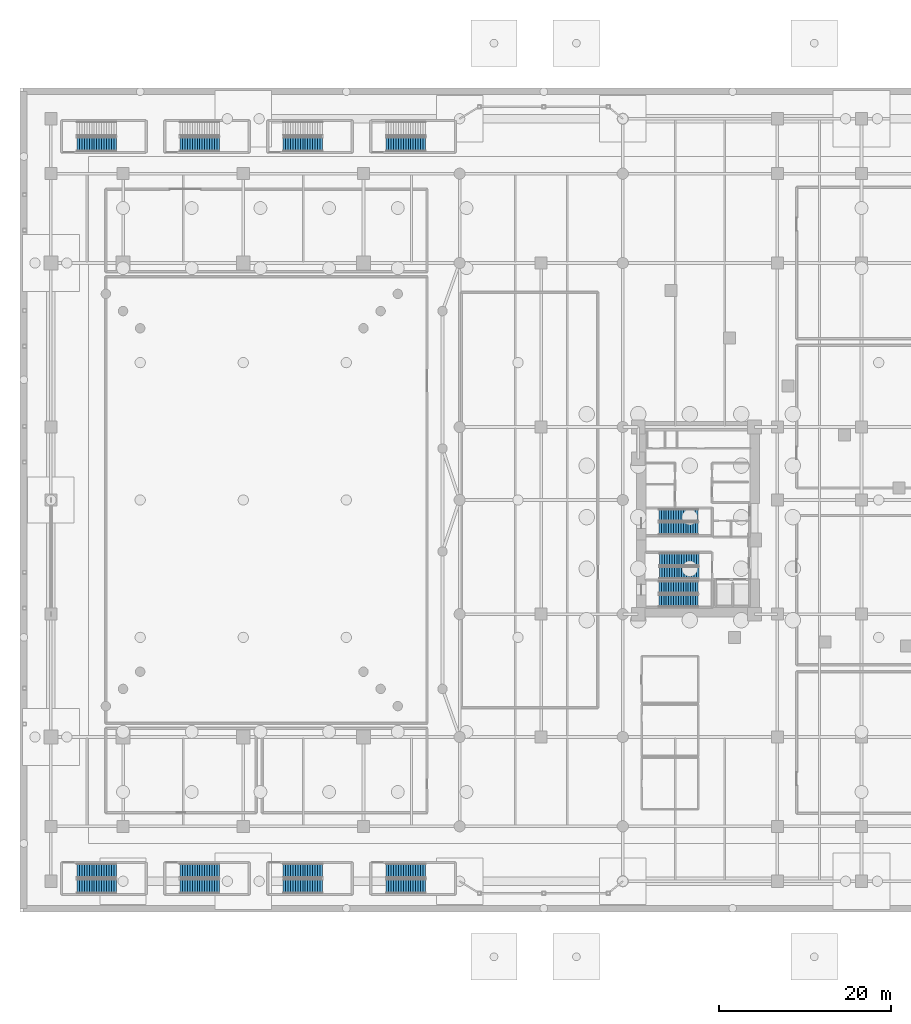
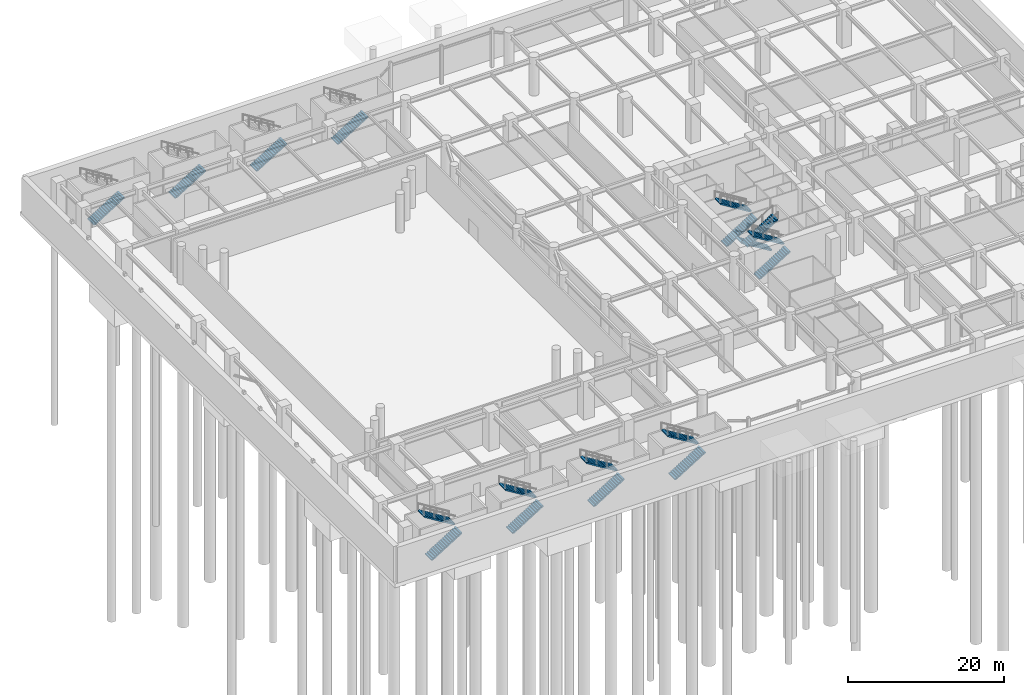
# One storey, part 25 of 37: 18 stair flights, 11 elements without a shape of their own.
"""IFC4 building model written with IfcOpenShell, lengths in metres."""

from ifc_helpers import new_model, si_unit, direction, frame, origin, place, context, subcontext, project, spatial, polyline, outline, extrude, material, type_object, element, aggregate, save


model = new_model("IFC4")

# Units and contexts
model_context = context("Model", 3, precision=1e-05, world=origin(), true_north=direction((0.0, 1.0)))
body_context = subcontext(model_context, "Body", "Model", "MODEL_VIEW")
ifc_project = project(units=[si_unit("LENGTHUNIT", "METRE"), si_unit("AREAUNIT", "SQUARE_METRE"), si_unit("VOLUMEUNIT", "CUBIC_METRE"), si_unit("PLANEANGLEUNIT", "RADIAN"), si_unit("MASSUNIT", "GRAM", prefix="KILO")], contexts=[model_context])

# Site, building, storey
site_placement = place(None, origin())
site = spatial("IfcSite", under=ifc_project, at=site_placement, CompositionType="ELEMENT")
building_placement = place(site_placement, origin())
building = spatial("IfcBuilding", under=site, at=building_placement, Name="Narakoshi Arena Tower", CompositionType="ELEMENT")
storey_placement = place(building_placement, frame((0.0, 0.0, -6.0)))
storey = spatial("IfcBuildingStorey", under=building, at=storey_placement, Name="B01", CompositionType="ELEMENT", Elevation=-6.0)

# Stair, stair flights
ifc_material_1 = material(Name="Concrete C45/55", Category="concrete")
stair_type_1 = type_object("IfcStairType", Name="STR-B01-600", PredefinedType="TWO_STRAIGHT_RUN_STAIR", material=ifc_material_1)
stair_1_placement = place(storey_placement, origin())
stair_1 = element("IfcStair", 1, at=stair_1_placement, inside=storey, type_object=stair_type_1, Name="B01 Core Escape Stair ST1", PredefinedType="TWO_STRAIGHT_RUN_STAIR")
ifc_material_2 = material(Name="Precast concrete C45/55", Category="concrete")
stair_flight_type_1 = type_object("IfcStairFlightType", Name="FLT-160-150", PredefinedType="STRAIGHT", material=ifc_material_2)
stair_flight_1_placement = place(storey_placement, frame((74.39990234375, 36.27490234375, 0.0), z_axis=(0.0, 0.0, 1.0), x_axis=(1.0, 0.0, 0.0)))
stair_flight_1 = element("IfcStairFlight", 2, at=stair_flight_1_placement, type_object=stair_flight_type_1, Name="ST1 flight 1", NumberOfRisers=17, NumberOfTreads=16, PredefinedType="STRAIGHT", RiserHeight=0.176470588, TreadLength=0.285, context=body_context, shape_type="SweptSolid", body=[
    extrude(outline(polyline([(0.0, 0.0), (0.0, 0.176513671875), (0.284912109375, 0.176513671875), (0.284912109375, 0.35302734375), (0.570068359375, 0.35302734375), (0.570068359375, 0.529296875), (0.85498046875, 0.529296875), (0.85498046875, 0.705810546875), (1.139892578125, 0.705810546875), (1.139892578125, 0.88232421875), (1.425048828125, 0.88232421875), (1.425048828125, 1.058837890625), (1.7099609375, 1.058837890625), (1.7099609375, 1.2353515625), (1.9951171875, 1.2353515625), (1.9951171875, 1.411865234375), (2.280029296875, 1.411865234375), (2.280029296875, 1.588134765625), (2.56494140625, 1.588134765625), (2.56494140625, 1.7646484375), (2.85009765625, 1.7646484375), (2.85009765625, 1.941162109375), (3.135009765625, 1.941162109375), (3.135009765625, 2.11767578125), (3.419921875, 2.11767578125), (3.419921875, 2.294189453125), (3.705078125, 2.294189453125), (3.705078125, 2.470703125), (3.989990234375, 2.470703125), (3.989990234375, 2.64697265625), (4.27490234375, 2.64697265625), (4.27490234375, 2.823486328125), (4.56005859375, 2.823486328125), (4.56005859375, 3.0), (4.56005859375, 2.647216796875), (0.28466796875, 0.0), (0.0, 0.0)])), frame((0.0, 0.72509765625, 0.0), z_axis=(0.0, -1.0, 0.0), x_axis=(1.0, 0.0, 0.0)), (0.0, 0.0, 1.0), 1.449951171875),
])
stair_flight_2_placement = place(storey_placement, frame((78.9599609375, 37.824951171875, 3.0), z_axis=(0.0, 0.0, 1.0), x_axis=(-1.0, 0.0, 0.0)))
stair_flight_2 = element("IfcStairFlight", 3, at=stair_flight_2_placement, type_object=stair_flight_type_1, Name="ST1 flight 2", NumberOfRisers=17, NumberOfTreads=16, PredefinedType="STRAIGHT", RiserHeight=0.176470588, TreadLength=0.285, context=body_context, shape_type="SweptSolid", body=[
    extrude(outline(polyline([(0.0, 0.0), (0.0, 0.176513671875), (0.284912109375, 0.176513671875), (0.284912109375, 0.35302734375), (0.570068359375, 0.35302734375), (0.570068359375, 0.529296875), (0.85498046875, 0.529296875), (0.85498046875, 0.705810546875), (1.139892578125, 0.705810546875), (1.139892578125, 0.88232421875), (1.425048828125, 0.88232421875), (1.425048828125, 1.058837890625), (1.7099609375, 1.058837890625), (1.7099609375, 1.2353515625), (1.9951171875, 1.2353515625), (1.9951171875, 1.411865234375), (2.280029296875, 1.411865234375), (2.280029296875, 1.588134765625), (2.56494140625, 1.588134765625), (2.56494140625, 1.7646484375), (2.85009765625, 1.7646484375), (2.85009765625, 1.941162109375), (3.135009765625, 1.941162109375), (3.135009765625, 2.11767578125), (3.419921875, 2.11767578125), (3.419921875, 2.294189453125), (3.705078125, 2.294189453125), (3.705078125, 2.470703125), (3.989990234375, 2.470703125), (3.989990234375, 2.64697265625), (4.27490234375, 2.64697265625), (4.27490234375, 2.823486328125), (4.56005859375, 2.823486328125), (4.56005859375, 3.0), (4.56005859375, 2.647216796875), (0.28466796875, 0.0), (0.0, 0.0)])), frame((0.0, 0.72509765625, 0.0), z_axis=(0.0, -1.0, 0.0), x_axis=(1.0, 0.0, 0.0)), (0.0, 0.0, 1.0), 1.449951171875),
])
aggregate(stair_1, [stair_flight_1, stair_flight_2])

stair_2_placement = place(storey_placement, origin())
stair_2 = element("IfcStair", 4, at=stair_2_placement, inside=storey, type_object=stair_type_1, Name="B01 Core Escape Stair ST2", PredefinedType="TWO_STRAIGHT_RUN_STAIR")
stair_flight_3_placement = place(storey_placement, frame((79.050048828125, 41.074951171875, 0.0), z_axis=(0.0, 0.0, 1.0), x_axis=(-1.0, 0.0, 0.0)))
stair_flight_3 = element("IfcStairFlight", 5, at=stair_flight_3_placement, type_object=stair_flight_type_1, Name="ST2 flight 1", NumberOfRisers=17, NumberOfTreads=16, PredefinedType="STRAIGHT", RiserHeight=0.176470588, TreadLength=0.285, context=body_context, shape_type="SweptSolid", body=[
    extrude(outline(polyline([(0.0, 0.0), (0.0, 0.176513671875), (0.284912109375, 0.176513671875), (0.284912109375, 0.35302734375), (0.570068359375, 0.35302734375), (0.570068359375, 0.529296875), (0.85498046875, 0.529296875), (0.85498046875, 0.705810546875), (1.139892578125, 0.705810546875), (1.139892578125, 0.88232421875), (1.425048828125, 0.88232421875), (1.425048828125, 1.058837890625), (1.7099609375, 1.058837890625), (1.7099609375, 1.2353515625), (1.9951171875, 1.2353515625), (1.9951171875, 1.411865234375), (2.280029296875, 1.411865234375), (2.280029296875, 1.588134765625), (2.56494140625, 1.588134765625), (2.56494140625, 1.7646484375), (2.85009765625, 1.7646484375), (2.85009765625, 1.941162109375), (3.135009765625, 1.941162109375), (3.135009765625, 2.11767578125), (3.419921875, 2.11767578125), (3.419921875, 2.294189453125), (3.705078125, 2.294189453125), (3.705078125, 2.470703125), (3.989990234375, 2.470703125), (3.989990234375, 2.64697265625), (4.27490234375, 2.64697265625), (4.27490234375, 2.823486328125), (4.56005859375, 2.823486328125), (4.56005859375, 3.0), (4.56005859375, 2.647216796875), (0.28466796875, 0.0), (0.0, 0.0)])), frame((0.0, 0.72509765625, 0.0), z_axis=(0.0, -1.0, 0.0), x_axis=(1.0, 0.0, 0.0)), (0.0, 0.0, 1.0), 1.449951171875),
])
stair_flight_4_placement = place(storey_placement, frame((74.489990234375, 39.52490234375, 3.0), z_axis=(0.0, 0.0, 1.0), x_axis=(1.0, 0.0, 0.0)))
stair_flight_4 = element("IfcStairFlight", 6, at=stair_flight_4_placement, type_object=stair_flight_type_1, Name="ST2 flight 2", NumberOfRisers=17, NumberOfTreads=16, PredefinedType="STRAIGHT", RiserHeight=0.176470588, TreadLength=0.285, context=body_context, shape_type="SweptSolid", body=[
    extrude(outline(polyline([(0.0, 0.0), (0.0, 0.176513671875), (0.284912109375, 0.176513671875), (0.284912109375, 0.35302734375), (0.570068359375, 0.35302734375), (0.570068359375, 0.529296875), (0.85498046875, 0.529296875), (0.85498046875, 0.705810546875), (1.139892578125, 0.705810546875), (1.139892578125, 0.88232421875), (1.425048828125, 0.88232421875), (1.425048828125, 1.058837890625), (1.7099609375, 1.058837890625), (1.7099609375, 1.2353515625), (1.9951171875, 1.2353515625), (1.9951171875, 1.411865234375), (2.280029296875, 1.411865234375), (2.280029296875, 1.588134765625), (2.56494140625, 1.588134765625), (2.56494140625, 1.7646484375), (2.85009765625, 1.7646484375), (2.85009765625, 1.941162109375), (3.135009765625, 1.941162109375), (3.135009765625, 2.11767578125), (3.419921875, 2.11767578125), (3.419921875, 2.294189453125), (3.705078125, 2.294189453125), (3.705078125, 2.470703125), (3.989990234375, 2.470703125), (3.989990234375, 2.64697265625), (4.27490234375, 2.64697265625), (4.27490234375, 2.823486328125), (4.56005859375, 2.823486328125), (4.56005859375, 3.0), (4.56005859375, 2.647216796875), (0.28466796875, 0.0), (0.0, 0.0)])), frame((0.0, 0.72509765625, 0.0), z_axis=(0.0, -1.0, 0.0), x_axis=(1.0, 0.0, 0.0)), (0.0, 0.0, 1.0), 1.449951171875),
])
aggregate(stair_2, [stair_flight_3, stair_flight_4])

stair_3_placement = place(storey_placement, origin())
stair_3 = element("IfcStair", 7, at=stair_3_placement, inside=storey, type_object=stair_type_1, Name="B01 Core Escape Stair ST3", PredefinedType="TWO_STRAIGHT_RUN_STAIR")
stair_flight_5_placement = place(storey_placement, frame((74.39990234375, 44.675048828125, 0.0), z_axis=(0.0, 0.0, 1.0), x_axis=(1.0, 0.0, 0.0)))
stair_flight_5 = element("IfcStairFlight", 8, at=stair_flight_5_placement, type_object=stair_flight_type_1, Name="ST3 flight 1", NumberOfRisers=17, NumberOfTreads=16, PredefinedType="STRAIGHT", RiserHeight=0.176470588, TreadLength=0.285, context=body_context, shape_type="SweptSolid", body=[
    extrude(outline(polyline([(0.0, 0.0), (0.0, 0.176513671875), (0.284912109375, 0.176513671875), (0.284912109375, 0.35302734375), (0.570068359375, 0.35302734375), (0.570068359375, 0.529296875), (0.85498046875, 0.529296875), (0.85498046875, 0.705810546875), (1.139892578125, 0.705810546875), (1.139892578125, 0.88232421875), (1.425048828125, 0.88232421875), (1.425048828125, 1.058837890625), (1.7099609375, 1.058837890625), (1.7099609375, 1.2353515625), (1.9951171875, 1.2353515625), (1.9951171875, 1.411865234375), (2.280029296875, 1.411865234375), (2.280029296875, 1.588134765625), (2.56494140625, 1.588134765625), (2.56494140625, 1.7646484375), (2.85009765625, 1.7646484375), (2.85009765625, 1.941162109375), (3.135009765625, 1.941162109375), (3.135009765625, 2.11767578125), (3.419921875, 2.11767578125), (3.419921875, 2.294189453125), (3.705078125, 2.294189453125), (3.705078125, 2.470703125), (3.989990234375, 2.470703125), (3.989990234375, 2.64697265625), (4.27490234375, 2.64697265625), (4.27490234375, 2.823486328125), (4.56005859375, 2.823486328125), (4.56005859375, 3.0), (4.56005859375, 2.647216796875), (0.28466796875, 0.0), (0.0, 0.0)])), frame((0.0, 0.72509765625, 0.0), z_axis=(0.0, -1.0, 0.0), x_axis=(1.0, 0.0, 0.0)), (0.0, 0.0, 1.0), 1.449951171875),
])
stair_flight_6_placement = place(storey_placement, frame((78.9599609375, 46.22509765625, 3.0), z_axis=(0.0, 0.0, 1.0), x_axis=(-1.0, 0.0, 0.0)))
stair_flight_6 = element("IfcStairFlight", 9, at=stair_flight_6_placement, type_object=stair_flight_type_1, Name="ST3 flight 2", NumberOfRisers=17, NumberOfTreads=16, PredefinedType="STRAIGHT", RiserHeight=0.176470588, TreadLength=0.285, context=body_context, shape_type="SweptSolid", body=[
    extrude(outline(polyline([(0.0, 0.0), (0.0, 0.176513671875), (0.284912109375, 0.176513671875), (0.284912109375, 0.35302734375), (0.570068359375, 0.35302734375), (0.570068359375, 0.529296875), (0.85498046875, 0.529296875), (0.85498046875, 0.705810546875), (1.139892578125, 0.705810546875), (1.139892578125, 0.88232421875), (1.425048828125, 0.88232421875), (1.425048828125, 1.058837890625), (1.7099609375, 1.058837890625), (1.7099609375, 1.2353515625), (1.9951171875, 1.2353515625), (1.9951171875, 1.411865234375), (2.280029296875, 1.411865234375), (2.280029296875, 1.588134765625), (2.56494140625, 1.588134765625), (2.56494140625, 1.7646484375), (2.85009765625, 1.7646484375), (2.85009765625, 1.941162109375), (3.135009765625, 1.941162109375), (3.135009765625, 2.11767578125), (3.419921875, 2.11767578125), (3.419921875, 2.294189453125), (3.705078125, 2.294189453125), (3.705078125, 2.470703125), (3.989990234375, 2.470703125), (3.989990234375, 2.64697265625), (4.27490234375, 2.64697265625), (4.27490234375, 2.823486328125), (4.56005859375, 2.823486328125), (4.56005859375, 3.0), (4.56005859375, 2.647216796875), (0.28466796875, 0.0), (0.0, 0.0)])), frame((0.0, 0.72509765625, 0.0), z_axis=(0.0, -1.0, 0.0), x_axis=(1.0, 0.0, 0.0)), (0.0, 0.0, 1.0), 1.449951171875),
])
aggregate(stair_3, [stair_flight_5, stair_flight_6])

stair_type_2 = type_object("IfcStairType", Name="STR-ARN-2400", PredefinedType="TWO_STRAIGHT_RUN_STAIR", material=ifc_material_1)
stair_4_placement = place(storey_placement, origin())
stair_4 = element("IfcStair", 10, at=stair_4_placement, inside=storey, type_object=stair_type_2, Name="B01 Arena Crowd Escape Stair AST1", PredefinedType="TWO_STRAIGHT_RUN_STAIR")
stair_flight_type_2 = type_object("IfcStairFlightType", Name="FLT-240-150", PredefinedType="STRAIGHT", material=ifc_material_2)
stair_flight_7_placement = place(storey_placement, frame((6.64990234375, 3.02490234375, 0.0), z_axis=(0.0, 0.0, 1.0), x_axis=(1.0, 0.0, 0.0)))
stair_flight_7 = element("IfcStairFlight", 11, at=stair_flight_7_placement, type_object=stair_flight_type_2, Name="AST1 flight 1", NumberOfRisers=17, NumberOfTreads=16, PredefinedType="STRAIGHT", RiserHeight=0.176470588, TreadLength=0.285, context=body_context, shape_type="SweptSolid", body=[
    extrude(outline(polyline([(0.0, 0.0), (0.0, 0.176513671875), (0.284912109375, 0.176513671875), (0.284912109375, 0.35302734375), (0.570068359375, 0.35302734375), (0.570068359375, 0.529296875), (0.85498046875, 0.529296875), (0.85498046875, 0.705810546875), (1.139892578125, 0.705810546875), (1.139892578125, 0.88232421875), (1.425048828125, 0.88232421875), (1.425048828125, 1.058837890625), (1.7099609375, 1.058837890625), (1.7099609375, 1.2353515625), (1.9951171875, 1.2353515625), (1.9951171875, 1.411865234375), (2.280029296875, 1.411865234375), (2.280029296875, 1.588134765625), (2.56494140625, 1.588134765625), (2.56494140625, 1.7646484375), (2.85009765625, 1.7646484375), (2.85009765625, 1.941162109375), (3.135009765625, 1.941162109375), (3.135009765625, 2.11767578125), (3.419921875, 2.11767578125), (3.419921875, 2.294189453125), (3.705078125, 2.294189453125), (3.705078125, 2.470703125), (3.989990234375, 2.470703125), (3.989990234375, 2.64697265625), (4.27490234375, 2.64697265625), (4.27490234375, 2.823486328125), (4.56005859375, 2.823486328125), (4.56005859375, 3.0), (4.56005859375, 2.647216796875), (0.28466796875, 0.0), (0.0, 0.0)])), frame((0.0, 0.824951171875, 0.0), z_axis=(0.0, -1.0, 0.0), x_axis=(1.0, 0.0, 0.0)), (0.0, 0.0, 1.0), 1.64990234375),
])
stair_flight_8_placement = place(storey_placement, frame((11.2099609375, 4.824951171875, 3.0), z_axis=(0.0, 0.0, 1.0), x_axis=(-1.0, 0.0, 0.0)))
stair_flight_8 = element("IfcStairFlight", 12, at=stair_flight_8_placement, type_object=stair_flight_type_2, Name="AST1 flight 2", NumberOfRisers=17, NumberOfTreads=16, PredefinedType="STRAIGHT", RiserHeight=0.176470588, TreadLength=0.285, context=body_context, shape_type="SweptSolid", body=[
    extrude(outline(polyline([(0.0, 0.0), (0.0, 0.176513671875), (0.284912109375, 0.176513671875), (0.284912109375, 0.35302734375), (0.570068359375, 0.35302734375), (0.570068359375, 0.529296875), (0.85498046875, 0.529296875), (0.85498046875, 0.705810546875), (1.139892578125, 0.705810546875), (1.139892578125, 0.88232421875), (1.425048828125, 0.88232421875), (1.425048828125, 1.058837890625), (1.7099609375, 1.058837890625), (1.7099609375, 1.2353515625), (1.9951171875, 1.2353515625), (1.9951171875, 1.411865234375), (2.280029296875, 1.411865234375), (2.280029296875, 1.588134765625), (2.56494140625, 1.588134765625), (2.56494140625, 1.7646484375), (2.85009765625, 1.7646484375), (2.85009765625, 1.941162109375), (3.135009765625, 1.941162109375), (3.135009765625, 2.11767578125), (3.419921875, 2.11767578125), (3.419921875, 2.294189453125), (3.705078125, 2.294189453125), (3.705078125, 2.470703125), (3.989990234375, 2.470703125), (3.989990234375, 2.64697265625), (4.27490234375, 2.64697265625), (4.27490234375, 2.823486328125), (4.56005859375, 2.823486328125), (4.56005859375, 3.0), (4.56005859375, 2.647216796875), (0.28466796875, 0.0), (0.0, 0.0)])), frame((0.0, 0.824951171875, 0.0), z_axis=(0.0, -1.0, 0.0), x_axis=(1.0, 0.0, 0.0)), (0.0, 0.0, 1.0), 1.64990234375),
])
aggregate(stair_4, [stair_flight_7, stair_flight_8])

stair_5_placement = place(storey_placement, origin())
stair_5 = element("IfcStair", 13, at=stair_5_placement, inside=storey, type_object=stair_type_2, Name="B01 Arena Crowd Escape Stair AST2", PredefinedType="TWO_STRAIGHT_RUN_STAIR")
stair_flight_9_placement = place(storey_placement, frame((18.64990234375, 3.02490234375, 0.0), z_axis=(0.0, 0.0, 1.0), x_axis=(1.0, 0.0, 0.0)))
stair_flight_9 = element("IfcStairFlight", 14, at=stair_flight_9_placement, type_object=stair_flight_type_2, Name="AST2 flight 1", NumberOfRisers=17, NumberOfTreads=16, PredefinedType="STRAIGHT", RiserHeight=0.176470588, TreadLength=0.285, context=body_context, shape_type="SweptSolid", body=[
    extrude(outline(polyline([(0.0, 0.0), (0.0, 0.176513671875), (0.284912109375, 0.176513671875), (0.284912109375, 0.35302734375), (0.570068359375, 0.35302734375), (0.570068359375, 0.529296875), (0.85498046875, 0.529296875), (0.85498046875, 0.705810546875), (1.139892578125, 0.705810546875), (1.139892578125, 0.88232421875), (1.425048828125, 0.88232421875), (1.425048828125, 1.058837890625), (1.7099609375, 1.058837890625), (1.7099609375, 1.2353515625), (1.9951171875, 1.2353515625), (1.9951171875, 1.411865234375), (2.280029296875, 1.411865234375), (2.280029296875, 1.588134765625), (2.56494140625, 1.588134765625), (2.56494140625, 1.7646484375), (2.85009765625, 1.7646484375), (2.85009765625, 1.941162109375), (3.135009765625, 1.941162109375), (3.135009765625, 2.11767578125), (3.419921875, 2.11767578125), (3.419921875, 2.294189453125), (3.705078125, 2.294189453125), (3.705078125, 2.470703125), (3.989990234375, 2.470703125), (3.989990234375, 2.64697265625), (4.27490234375, 2.64697265625), (4.27490234375, 2.823486328125), (4.56005859375, 2.823486328125), (4.56005859375, 3.0), (4.56005859375, 2.647216796875), (0.28466796875, 0.0), (0.0, 0.0)])), frame((0.0, 0.824951171875, 0.0), z_axis=(0.0, -1.0, 0.0), x_axis=(1.0, 0.0, 0.0)), (0.0, 0.0, 1.0), 1.64990234375),
])
stair_flight_10_placement = place(storey_placement, frame((23.2099609375, 4.824951171875, 3.0), z_axis=(0.0, 0.0, 1.0), x_axis=(-1.0, 0.0, 0.0)))
stair_flight_10 = element("IfcStairFlight", 15, at=stair_flight_10_placement, type_object=stair_flight_type_2, Name="AST2 flight 2", NumberOfRisers=17, NumberOfTreads=16, PredefinedType="STRAIGHT", RiserHeight=0.176470588, TreadLength=0.285, context=body_context, shape_type="SweptSolid", body=[
    extrude(outline(polyline([(0.0, 0.0), (0.0, 0.176513671875), (0.284912109375, 0.176513671875), (0.284912109375, 0.35302734375), (0.570068359375, 0.35302734375), (0.570068359375, 0.529296875), (0.85498046875, 0.529296875), (0.85498046875, 0.705810546875), (1.139892578125, 0.705810546875), (1.139892578125, 0.88232421875), (1.425048828125, 0.88232421875), (1.425048828125, 1.058837890625), (1.7099609375, 1.058837890625), (1.7099609375, 1.2353515625), (1.9951171875, 1.2353515625), (1.9951171875, 1.411865234375), (2.280029296875, 1.411865234375), (2.280029296875, 1.588134765625), (2.56494140625, 1.588134765625), (2.56494140625, 1.7646484375), (2.85009765625, 1.7646484375), (2.85009765625, 1.941162109375), (3.135009765625, 1.941162109375), (3.135009765625, 2.11767578125), (3.419921875, 2.11767578125), (3.419921875, 2.294189453125), (3.705078125, 2.294189453125), (3.705078125, 2.470703125), (3.989990234375, 2.470703125), (3.989990234375, 2.64697265625), (4.27490234375, 2.64697265625), (4.27490234375, 2.823486328125), (4.56005859375, 2.823486328125), (4.56005859375, 3.0), (4.56005859375, 2.647216796875), (0.28466796875, 0.0), (0.0, 0.0)])), frame((0.0, 0.824951171875, 0.0), z_axis=(0.0, -1.0, 0.0), x_axis=(1.0, 0.0, 0.0)), (0.0, 0.0, 1.0), 1.64990234375),
])
aggregate(stair_5, [stair_flight_9, stair_flight_10])

stair_6_placement = place(storey_placement, origin())
stair_6 = element("IfcStair", 16, at=stair_6_placement, inside=storey, type_object=stair_type_2, Name="B01 Arena Crowd Escape Stair AST3", PredefinedType="TWO_STRAIGHT_RUN_STAIR")
stair_flight_11_placement = place(storey_placement, frame((30.64990234375, 3.02490234375, 0.0), z_axis=(0.0, 0.0, 1.0), x_axis=(1.0, 0.0, 0.0)))
stair_flight_11 = element("IfcStairFlight", 17, at=stair_flight_11_placement, type_object=stair_flight_type_2, Name="AST3 flight 1", NumberOfRisers=17, NumberOfTreads=16, PredefinedType="STRAIGHT", RiserHeight=0.176470588, TreadLength=0.285, context=body_context, shape_type="SweptSolid", body=[
    extrude(outline(polyline([(0.0, 0.0), (0.0, 0.176513671875), (0.284912109375, 0.176513671875), (0.284912109375, 0.35302734375), (0.570068359375, 0.35302734375), (0.570068359375, 0.529296875), (0.85498046875, 0.529296875), (0.85498046875, 0.705810546875), (1.139892578125, 0.705810546875), (1.139892578125, 0.88232421875), (1.425048828125, 0.88232421875), (1.425048828125, 1.058837890625), (1.7099609375, 1.058837890625), (1.7099609375, 1.2353515625), (1.9951171875, 1.2353515625), (1.9951171875, 1.411865234375), (2.280029296875, 1.411865234375), (2.280029296875, 1.588134765625), (2.56494140625, 1.588134765625), (2.56494140625, 1.7646484375), (2.85009765625, 1.7646484375), (2.85009765625, 1.941162109375), (3.135009765625, 1.941162109375), (3.135009765625, 2.11767578125), (3.419921875, 2.11767578125), (3.419921875, 2.294189453125), (3.705078125, 2.294189453125), (3.705078125, 2.470703125), (3.989990234375, 2.470703125), (3.989990234375, 2.64697265625), (4.27490234375, 2.64697265625), (4.27490234375, 2.823486328125), (4.56005859375, 2.823486328125), (4.56005859375, 3.0), (4.56005859375, 2.647216796875), (0.28466796875, 0.0), (0.0, 0.0)])), frame((0.0, 0.824951171875, 0.0), z_axis=(0.0, -1.0, 0.0), x_axis=(1.0, 0.0, 0.0)), (0.0, 0.0, 1.0), 1.64990234375),
])
stair_flight_12_placement = place(storey_placement, frame((35.2099609375, 4.824951171875, 3.0), z_axis=(0.0, 0.0, 1.0), x_axis=(-1.0, 0.0, 0.0)))
stair_flight_12 = element("IfcStairFlight", 18, at=stair_flight_12_placement, type_object=stair_flight_type_2, Name="AST3 flight 2", NumberOfRisers=17, NumberOfTreads=16, PredefinedType="STRAIGHT", RiserHeight=0.176470588, TreadLength=0.285, context=body_context, shape_type="SweptSolid", body=[
    extrude(outline(polyline([(0.0, 0.0), (0.0, 0.176513671875), (0.284912109375, 0.176513671875), (0.284912109375, 0.35302734375), (0.570068359375, 0.35302734375), (0.570068359375, 0.529296875), (0.85498046875, 0.529296875), (0.85498046875, 0.705810546875), (1.139892578125, 0.705810546875), (1.139892578125, 0.88232421875), (1.425048828125, 0.88232421875), (1.425048828125, 1.058837890625), (1.7099609375, 1.058837890625), (1.7099609375, 1.2353515625), (1.9951171875, 1.2353515625), (1.9951171875, 1.411865234375), (2.280029296875, 1.411865234375), (2.280029296875, 1.588134765625), (2.56494140625, 1.588134765625), (2.56494140625, 1.7646484375), (2.85009765625, 1.7646484375), (2.85009765625, 1.941162109375), (3.135009765625, 1.941162109375), (3.135009765625, 2.11767578125), (3.419921875, 2.11767578125), (3.419921875, 2.294189453125), (3.705078125, 2.294189453125), (3.705078125, 2.470703125), (3.989990234375, 2.470703125), (3.989990234375, 2.64697265625), (4.27490234375, 2.64697265625), (4.27490234375, 2.823486328125), (4.56005859375, 2.823486328125), (4.56005859375, 3.0), (4.56005859375, 2.647216796875), (0.28466796875, 0.0), (0.0, 0.0)])), frame((0.0, 0.824951171875, 0.0), z_axis=(0.0, -1.0, 0.0), x_axis=(1.0, 0.0, 0.0)), (0.0, 0.0, 1.0), 1.64990234375),
])
aggregate(stair_6, [stair_flight_11, stair_flight_12])

stair_7_placement = place(storey_placement, origin())
stair_7 = element("IfcStair", 19, at=stair_7_placement, inside=storey, type_object=stair_type_2, Name="B01 Arena Crowd Escape Stair AST4", PredefinedType="TWO_STRAIGHT_RUN_STAIR")
stair_flight_13_placement = place(storey_placement, frame((42.64990234375, 3.02490234375, 0.0), z_axis=(0.0, 0.0, 1.0), x_axis=(1.0, 0.0, 0.0)))
stair_flight_13 = element("IfcStairFlight", 20, at=stair_flight_13_placement, type_object=stair_flight_type_2, Name="AST4 flight 1", NumberOfRisers=17, NumberOfTreads=16, PredefinedType="STRAIGHT", RiserHeight=0.176470588, TreadLength=0.285, context=body_context, shape_type="SweptSolid", body=[
    extrude(outline(polyline([(0.0, 0.0), (0.0, 0.176513671875), (0.284912109375, 0.176513671875), (0.284912109375, 0.35302734375), (0.570068359375, 0.35302734375), (0.570068359375, 0.529296875), (0.85498046875, 0.529296875), (0.85498046875, 0.705810546875), (1.139892578125, 0.705810546875), (1.139892578125, 0.88232421875), (1.425048828125, 0.88232421875), (1.425048828125, 1.058837890625), (1.7099609375, 1.058837890625), (1.7099609375, 1.2353515625), (1.9951171875, 1.2353515625), (1.9951171875, 1.411865234375), (2.280029296875, 1.411865234375), (2.280029296875, 1.588134765625), (2.56494140625, 1.588134765625), (2.56494140625, 1.7646484375), (2.85009765625, 1.7646484375), (2.85009765625, 1.941162109375), (3.135009765625, 1.941162109375), (3.135009765625, 2.11767578125), (3.419921875, 2.11767578125), (3.419921875, 2.294189453125), (3.705078125, 2.294189453125), (3.705078125, 2.470703125), (3.989990234375, 2.470703125), (3.989990234375, 2.64697265625), (4.27490234375, 2.64697265625), (4.27490234375, 2.823486328125), (4.56005859375, 2.823486328125), (4.56005859375, 3.0), (4.56005859375, 2.647216796875), (0.28466796875, 0.0), (0.0, 0.0)])), frame((0.0, 0.824951171875, 0.0), z_axis=(0.0, -1.0, 0.0), x_axis=(1.0, 0.0, 0.0)), (0.0, 0.0, 1.0), 1.64990234375),
])
stair_flight_14_placement = place(storey_placement, frame((47.2099609375, 4.824951171875, 3.0), z_axis=(0.0, 0.0, 1.0), x_axis=(-1.0, 0.0, 0.0)))
stair_flight_14 = element("IfcStairFlight", 21, at=stair_flight_14_placement, type_object=stair_flight_type_2, Name="AST4 flight 2", NumberOfRisers=17, NumberOfTreads=16, PredefinedType="STRAIGHT", RiserHeight=0.176470588, TreadLength=0.285, context=body_context, shape_type="SweptSolid", body=[
    extrude(outline(polyline([(0.0, 0.0), (0.0, 0.176513671875), (0.284912109375, 0.176513671875), (0.284912109375, 0.35302734375), (0.570068359375, 0.35302734375), (0.570068359375, 0.529296875), (0.85498046875, 0.529296875), (0.85498046875, 0.705810546875), (1.139892578125, 0.705810546875), (1.139892578125, 0.88232421875), (1.425048828125, 0.88232421875), (1.425048828125, 1.058837890625), (1.7099609375, 1.058837890625), (1.7099609375, 1.2353515625), (1.9951171875, 1.2353515625), (1.9951171875, 1.411865234375), (2.280029296875, 1.411865234375), (2.280029296875, 1.588134765625), (2.56494140625, 1.588134765625), (2.56494140625, 1.7646484375), (2.85009765625, 1.7646484375), (2.85009765625, 1.941162109375), (3.135009765625, 1.941162109375), (3.135009765625, 2.11767578125), (3.419921875, 2.11767578125), (3.419921875, 2.294189453125), (3.705078125, 2.294189453125), (3.705078125, 2.470703125), (3.989990234375, 2.470703125), (3.989990234375, 2.64697265625), (4.27490234375, 2.64697265625), (4.27490234375, 2.823486328125), (4.56005859375, 2.823486328125), (4.56005859375, 3.0), (4.56005859375, 2.647216796875), (0.28466796875, 0.0), (0.0, 0.0)])), frame((0.0, 0.824951171875, 0.0), z_axis=(0.0, -1.0, 0.0), x_axis=(1.0, 0.0, 0.0)), (0.0, 0.0, 1.0), 1.64990234375),
])
aggregate(stair_7, [stair_flight_13, stair_flight_14])

# Stair, stair flight
stair_8_placement = place(storey_placement, origin())
stair_8 = element("IfcStair", 22, at=stair_8_placement, inside=storey, type_object=stair_type_2, Name="B01 Arena Crowd Escape Stair AST5", PredefinedType="TWO_STRAIGHT_RUN_STAIR")
stair_flight_15_placement = place(storey_placement, frame((6.64990234375, 89.425048828125, 0.0), z_axis=(0.0, 0.0, 1.0), x_axis=(1.0, 0.0, 0.0)))
stair_flight_15 = element("IfcStairFlight", 23, at=stair_flight_15_placement, type_object=stair_flight_type_2, Name="AST5 flight 1", NumberOfRisers=17, NumberOfTreads=16, PredefinedType="STRAIGHT", RiserHeight=0.176470588, TreadLength=0.285, context=body_context, shape_type="SweptSolid", body=[
    extrude(outline(polyline([(0.0, 0.0), (0.0, 0.176513671875), (0.284912109375, 0.176513671875), (0.284912109375, 0.35302734375), (0.570068359375, 0.35302734375), (0.570068359375, 0.529296875), (0.85498046875, 0.529296875), (0.85498046875, 0.705810546875), (1.139892578125, 0.705810546875), (1.139892578125, 0.88232421875), (1.425048828125, 0.88232421875), (1.425048828125, 1.058837890625), (1.7099609375, 1.058837890625), (1.7099609375, 1.2353515625), (1.9951171875, 1.2353515625), (1.9951171875, 1.411865234375), (2.280029296875, 1.411865234375), (2.280029296875, 1.588134765625), (2.56494140625, 1.588134765625), (2.56494140625, 1.7646484375), (2.85009765625, 1.7646484375), (2.85009765625, 1.941162109375), (3.135009765625, 1.941162109375), (3.135009765625, 2.11767578125), (3.419921875, 2.11767578125), (3.419921875, 2.294189453125), (3.705078125, 2.294189453125), (3.705078125, 2.470703125), (3.989990234375, 2.470703125), (3.989990234375, 2.64697265625), (4.27490234375, 2.64697265625), (4.27490234375, 2.823486328125), (4.56005859375, 2.823486328125), (4.56005859375, 3.0), (4.56005859375, 2.647216796875), (0.28466796875, 0.0), (0.0, 0.0)])), frame((0.0, 0.824951171875, 0.0), z_axis=(0.0, -1.0, 0.0), x_axis=(1.0, 0.0, 0.0)), (0.0, 0.0, 1.0), 1.64990234375),
])
aggregate(stair_8, [stair_flight_15])

stair_9_placement = place(storey_placement, origin())
stair_9 = element("IfcStair", 24, at=stair_9_placement, inside=storey, type_object=stair_type_2, Name="B01 Arena Crowd Escape Stair AST6", PredefinedType="TWO_STRAIGHT_RUN_STAIR")
stair_flight_16_placement = place(storey_placement, frame((18.64990234375, 89.425048828125, 0.0), z_axis=(0.0, 0.0, 1.0), x_axis=(1.0, 0.0, 0.0)))
stair_flight_16 = element("IfcStairFlight", 25, at=stair_flight_16_placement, type_object=stair_flight_type_2, Name="AST6 flight 1", NumberOfRisers=17, NumberOfTreads=16, PredefinedType="STRAIGHT", RiserHeight=0.176470588, TreadLength=0.285, context=body_context, shape_type="SweptSolid", body=[
    extrude(outline(polyline([(0.0, 0.0), (0.0, 0.176513671875), (0.284912109375, 0.176513671875), (0.284912109375, 0.35302734375), (0.570068359375, 0.35302734375), (0.570068359375, 0.529296875), (0.85498046875, 0.529296875), (0.85498046875, 0.705810546875), (1.139892578125, 0.705810546875), (1.139892578125, 0.88232421875), (1.425048828125, 0.88232421875), (1.425048828125, 1.058837890625), (1.7099609375, 1.058837890625), (1.7099609375, 1.2353515625), (1.9951171875, 1.2353515625), (1.9951171875, 1.411865234375), (2.280029296875, 1.411865234375), (2.280029296875, 1.588134765625), (2.56494140625, 1.588134765625), (2.56494140625, 1.7646484375), (2.85009765625, 1.7646484375), (2.85009765625, 1.941162109375), (3.135009765625, 1.941162109375), (3.135009765625, 2.11767578125), (3.419921875, 2.11767578125), (3.419921875, 2.294189453125), (3.705078125, 2.294189453125), (3.705078125, 2.470703125), (3.989990234375, 2.470703125), (3.989990234375, 2.64697265625), (4.27490234375, 2.64697265625), (4.27490234375, 2.823486328125), (4.56005859375, 2.823486328125), (4.56005859375, 3.0), (4.56005859375, 2.647216796875), (0.28466796875, 0.0), (0.0, 0.0)])), frame((0.0, 0.824951171875, 0.0), z_axis=(0.0, -1.0, 0.0), x_axis=(1.0, 0.0, 0.0)), (0.0, 0.0, 1.0), 1.64990234375),
])
aggregate(stair_9, [stair_flight_16])

stair_10_placement = place(storey_placement, origin())
stair_10 = element("IfcStair", 26, at=stair_10_placement, inside=storey, type_object=stair_type_2, Name="B01 Arena Crowd Escape Stair AST7", PredefinedType="TWO_STRAIGHT_RUN_STAIR")
stair_flight_17_placement = place(storey_placement, frame((30.64990234375, 89.425048828125, 0.0), z_axis=(0.0, 0.0, 1.0), x_axis=(1.0, 0.0, 0.0)))
stair_flight_17 = element("IfcStairFlight", 27, at=stair_flight_17_placement, type_object=stair_flight_type_2, Name="AST7 flight 1", NumberOfRisers=17, NumberOfTreads=16, PredefinedType="STRAIGHT", RiserHeight=0.176470588, TreadLength=0.285, context=body_context, shape_type="SweptSolid", body=[
    extrude(outline(polyline([(0.0, 0.0), (0.0, 0.176513671875), (0.284912109375, 0.176513671875), (0.284912109375, 0.35302734375), (0.570068359375, 0.35302734375), (0.570068359375, 0.529296875), (0.85498046875, 0.529296875), (0.85498046875, 0.705810546875), (1.139892578125, 0.705810546875), (1.139892578125, 0.88232421875), (1.425048828125, 0.88232421875), (1.425048828125, 1.058837890625), (1.7099609375, 1.058837890625), (1.7099609375, 1.2353515625), (1.9951171875, 1.2353515625), (1.9951171875, 1.411865234375), (2.280029296875, 1.411865234375), (2.280029296875, 1.588134765625), (2.56494140625, 1.588134765625), (2.56494140625, 1.7646484375), (2.85009765625, 1.7646484375), (2.85009765625, 1.941162109375), (3.135009765625, 1.941162109375), (3.135009765625, 2.11767578125), (3.419921875, 2.11767578125), (3.419921875, 2.294189453125), (3.705078125, 2.294189453125), (3.705078125, 2.470703125), (3.989990234375, 2.470703125), (3.989990234375, 2.64697265625), (4.27490234375, 2.64697265625), (4.27490234375, 2.823486328125), (4.56005859375, 2.823486328125), (4.56005859375, 3.0), (4.56005859375, 2.647216796875), (0.28466796875, 0.0), (0.0, 0.0)])), frame((0.0, 0.824951171875, 0.0), z_axis=(0.0, -1.0, 0.0), x_axis=(1.0, 0.0, 0.0)), (0.0, 0.0, 1.0), 1.64990234375),
])
aggregate(stair_10, [stair_flight_17])

stair_11_placement = place(storey_placement, origin())
stair_11 = element("IfcStair", 28, at=stair_11_placement, inside=storey, type_object=stair_type_2, Name="B01 Arena Crowd Escape Stair AST8", PredefinedType="TWO_STRAIGHT_RUN_STAIR")
stair_flight_18_placement = place(storey_placement, frame((42.64990234375, 89.425048828125, 0.0), z_axis=(0.0, 0.0, 1.0), x_axis=(1.0, 0.0, 0.0)))
stair_flight_18 = element("IfcStairFlight", 29, at=stair_flight_18_placement, type_object=stair_flight_type_2, Name="AST8 flight 1", NumberOfRisers=17, NumberOfTreads=16, PredefinedType="STRAIGHT", RiserHeight=0.176470588, TreadLength=0.285, context=body_context, shape_type="SweptSolid", body=[
    extrude(outline(polyline([(0.0, 0.0), (0.0, 0.176513671875), (0.284912109375, 0.176513671875), (0.284912109375, 0.35302734375), (0.570068359375, 0.35302734375), (0.570068359375, 0.529296875), (0.85498046875, 0.529296875), (0.85498046875, 0.705810546875), (1.139892578125, 0.705810546875), (1.139892578125, 0.88232421875), (1.425048828125, 0.88232421875), (1.425048828125, 1.058837890625), (1.7099609375, 1.058837890625), (1.7099609375, 1.2353515625), (1.9951171875, 1.2353515625), (1.9951171875, 1.411865234375), (2.280029296875, 1.411865234375), (2.280029296875, 1.588134765625), (2.56494140625, 1.588134765625), (2.56494140625, 1.7646484375), (2.85009765625, 1.7646484375), (2.85009765625, 1.941162109375), (3.135009765625, 1.941162109375), (3.135009765625, 2.11767578125), (3.419921875, 2.11767578125), (3.419921875, 2.294189453125), (3.705078125, 2.294189453125), (3.705078125, 2.470703125), (3.989990234375, 2.470703125), (3.989990234375, 2.64697265625), (4.27490234375, 2.64697265625), (4.27490234375, 2.823486328125), (4.56005859375, 2.823486328125), (4.56005859375, 3.0), (4.56005859375, 2.647216796875), (0.28466796875, 0.0), (0.0, 0.0)])), frame((0.0, 0.824951171875, 0.0), z_axis=(0.0, -1.0, 0.0), x_axis=(1.0, 0.0, 0.0)), (0.0, 0.0, 1.0), 1.64990234375),
])
aggregate(stair_11, [stair_flight_18])

save(model, "model.ifc")
